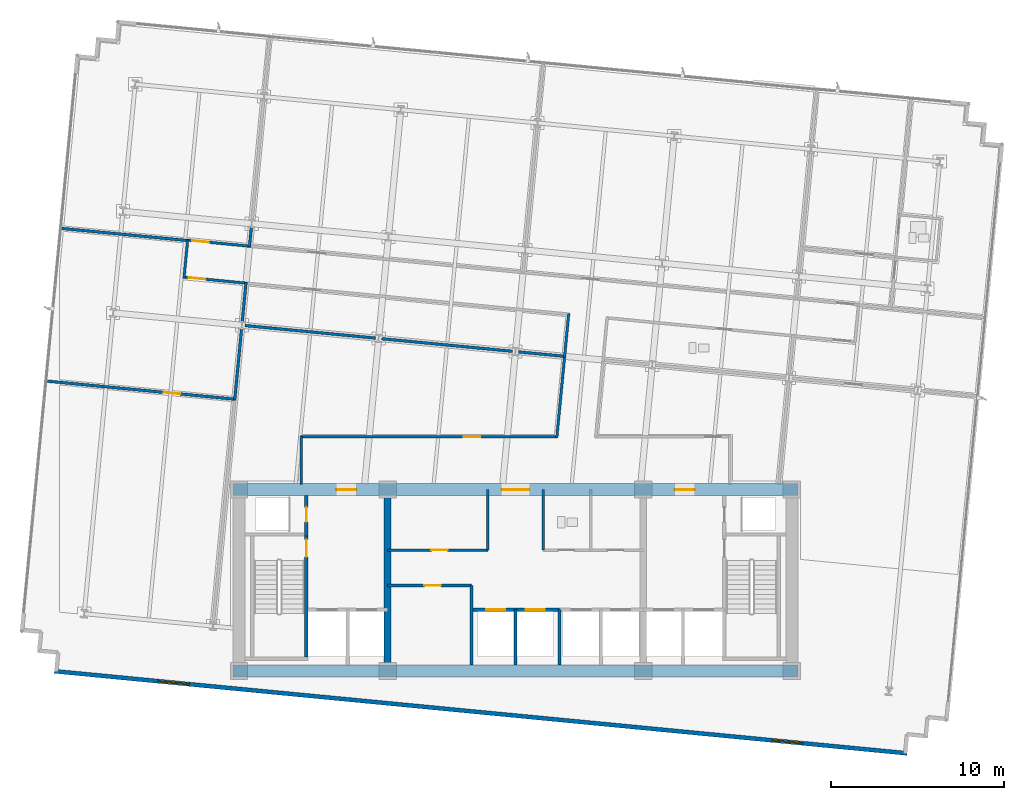
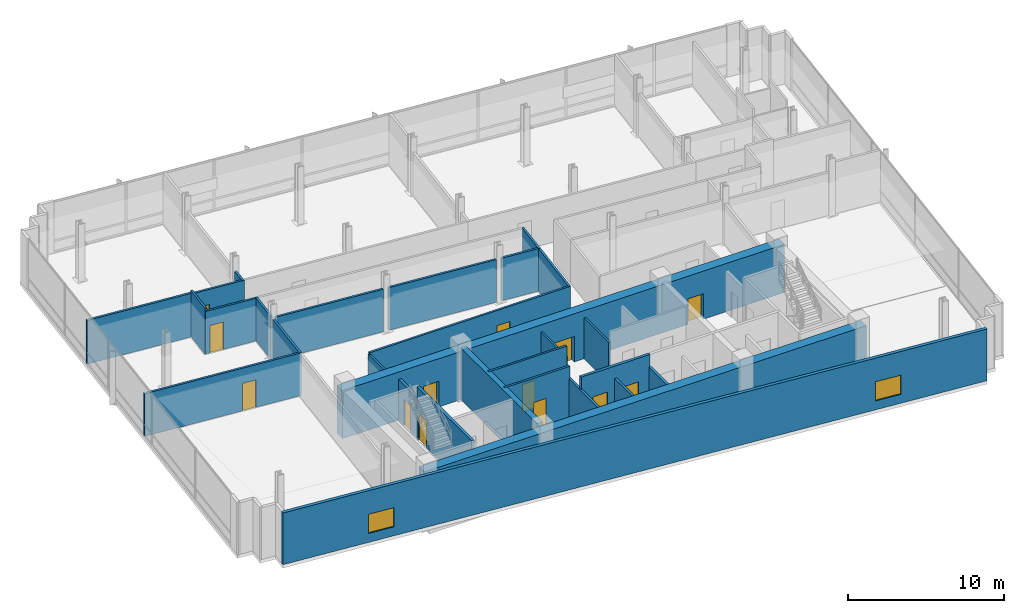
# One storey, part 11 of 17: 29 walls, 13 doors, 2 windows, 15 openings.
"""IFC4 building model written with IfcOpenShell, lengths in metres."""

from ifc_helpers import new_model, si_unit, direction, frame, frame_2d, origin, place, context, subcontext, project, spatial, rectangle, extrude, material, layer, layer_set, type_object, element, fill, save


model = new_model("IFC4")

# Units and contexts
model_context = context("Model", 3, precision=1e-05, world=origin(), true_north=direction((0.0, 1.0)))
body_context = subcontext(model_context, "Body", "Model", "MODEL_VIEW")
ifc_project = project(units=[si_unit("LENGTHUNIT", "METRE"), si_unit("AREAUNIT", "SQUARE_METRE"), si_unit("VOLUMEUNIT", "CUBIC_METRE"), si_unit("PLANEANGLEUNIT", "RADIAN"), si_unit("MASSUNIT", "GRAM", prefix="KILO")], contexts=[model_context])

# Site, building, storey
site_placement = place(None, origin())
site = spatial("IfcSite", under=ifc_project, at=site_placement, CompositionType="ELEMENT")
building_placement = place(site_placement, origin())
building = spatial("IfcBuilding", under=site, at=building_placement, Name="Solmavex Isthmus Hotel", CompositionType="ELEMENT")
storey_placement = place(building_placement, frame((0.0, 0.0, 181.800048828125)))
storey = spatial("IfcBuildingStorey", under=building, at=storey_placement, Name="L49", CompositionType="ELEMENT", Elevation=181.800048828125)

# Wall, openings, windows
ifc_material_1 = material(Name="Precast Concrete C40/50", Category="concrete")
ifc_layer_1 = layer(ifc_material_1, 0.25)
ifc_layer_set_1 = layer_set([ifc_layer_1], Name="Precast Concrete C40/50")
wall_type_1 = type_object("IfcWallType", Name="EW-TWR-250", PredefinedType="STANDARD", material=ifc_layer_set_1)
wall_1_placement = place(storey_placement, frame((-26.6953125, -13.01611328125, 0.0), z_axis=(0.0, 0.0, 1.0), x_axis=(0.995396268366, -0.095845025554, 0.0)))
wall_1 = element("IfcWall", 1, at=wall_1_placement, inside=storey, type_object=wall_type_1, Name="Tower Rear South Facade Wall L49", PredefinedType="STANDARD", context=body_context, shape_type="SweptSolid", body=[
    extrude(rectangle(XDim=49.599853515625, YDim=0.239990234375, at=frame_2d((24.7998046875, 0.0))), origin(), (0.0, 0.0, 1.0), 4.050048828125),
])
opening_1_placement = place(wall_1_placement, frame((6.0439453125, 0.0, 0.699951171875)))
opening_1 = element("IfcOpeningElement", 2, at=opening_1_placement, cuts=wall_1, Name="Opening WN-02", PredefinedType="OPENING", context=body_context, shape_type="SweptSolid", body=[
    extrude(rectangle(XDim=1.800048828125, YDim=1.5, at=frame_2d((0.89990234375, 0.75))), frame((0.0, 0.1298828125, 0.0), z_axis=(0.0, -1.0, 0.0), x_axis=(1.0, 0.0, 0.0)), (0.0, 0.0, 1.0), 0.260009765625),
])
opening_2_placement = place(wall_1_placement, frame((41.756103515625, 0.0, 0.699951171875)))
opening_2 = element("IfcOpeningElement", 3, at=opening_2_placement, cuts=wall_1, Name="Opening WN-02", PredefinedType="OPENING", context=body_context, shape_type="SweptSolid", body=[
    extrude(rectangle(XDim=1.800048828125, YDim=1.5, at=frame_2d((0.89990234375, 0.75))), frame((0.0, 0.1298828125, 0.0), z_axis=(0.0, -1.0, 0.0), x_axis=(1.0, 0.0, 0.0)), (0.0, 0.0, 1.0), 0.260009765625),
])
ifc_material_2 = material(Name="Clear low-E laminated glass", Category="glass")
window_type = type_object("IfcWindowType", Name="WIN-TWR-1800", PartitioningType="SINGLE_PANEL", PredefinedType="WINDOW", material=ifc_material_2)
window_1_placement = place(opening_1_placement, origin())
window_1 = element("IfcWindow", 4, at=window_1_placement, inside=storey, type_object=window_type, Name="South Facade Vision Window L49-S1", OverallHeight=1.5, OverallWidth=1.800048828125, PartitioningType="SINGLE_PANEL", PredefinedType="WINDOW", context=body_context, shape_type="SweptSolid", body=[
    extrude(rectangle(XDim=1.800048828125, YDim=1.5, at=frame_2d((0.89990234375, 0.75))), frame((0.0, 0.030029296875, 0.0), z_axis=(0.0, -1.0, 0.0), x_axis=(1.0, 0.0, 0.0)), (0.0, 0.0, 1.0), 0.06005859375),
])
fill(opening_1, window_1)
window_2_placement = place(opening_2_placement, origin())
window_2 = element("IfcWindow", 5, at=window_2_placement, inside=storey, type_object=window_type, Name="South Facade Vision Window L49-S2", OverallHeight=1.5, OverallWidth=1.800048828125, PartitioningType="SINGLE_PANEL", PredefinedType="WINDOW", context=body_context, shape_type="SweptSolid", body=[
    extrude(rectangle(XDim=1.800048828125, YDim=1.5, at=frame_2d((0.89990234375, 0.75))), frame((0.0, 0.030029296875, 0.0), z_axis=(0.0, -1.0, 0.0), x_axis=(1.0, 0.0, 0.0)), (0.0, 0.0, 1.0), 0.06005859375),
])
fill(opening_2, window_2)

# Wall, opening, door
ifc_material_3 = material(Name="Gypsum plasterboard lining", Category="gypsum")
ifc_layer_2 = layer(ifc_material_3, 0.159912109375)
ifc_layer_set_2 = layer_set([ifc_layer_2], Name="Gypsum plasterboard lining")
wall_type_2 = type_object("IfcWallType", Name="IW-COMP-160", PredefinedType="PARTITIONING", material=ifc_layer_set_2)
wall_2_placement = place(storey_placement, frame((-7.39990234375, -8.050048828125, 0.0), z_axis=(0.0, 0.0, 1.0), x_axis=(1.0, 0.0, 0.0)))
wall_2 = element("IfcWall", 6, at=wall_2_placement, inside=storey, type_object=wall_type_2, Name="Interior Partition Wall W-L49-REC-PLL-N", PredefinedType="PARTITIONING", context=body_context, shape_type="SweptSolid", body=[
    extrude(rectangle(XDim=4.849853515625, YDim=0.159912109375, at=frame_2d((2.4248046875, 0.0))), origin(), (0.0, 0.0, 1.0), 4.050048828125),
])
opening_3_placement = place(wall_2_placement, frame((2.125, 0.0, 0.0)))
opening_3 = element("IfcOpeningElement", 7, at=opening_3_placement, cuts=wall_2, Name="Opening ID-C095", PredefinedType="OPENING", context=body_context, shape_type="SweptSolid", body=[
    extrude(rectangle(XDim=0.949951171875, YDim=2.14990234375, at=frame_2d((0.47509765625, 1.074951171875))), frame((0.0, 0.08984375, 0.0), z_axis=(0.0, -1.0, 0.0), x_axis=(1.0, 0.0, 0.0)), (0.0, 0.0, 1.0), 0.179931640625),
])
ifc_material_4 = material(Name="Hardwood timber", Category="wood")
door_type_1 = type_object("IfcDoorType", Name="IDR-FD60-0950", OperationType="NOTDEFINED", PredefinedType="DOOR", material=ifc_material_4)
door_1_placement = place(opening_3_placement, origin())
door_1 = element("IfcDoor", 8, at=door_1_placement, inside=storey, type_object=door_type_1, Name="Linen Reserve Door L49", OperationType="SINGLE_SWING_LEFT", OverallHeight=2.14990234375, OverallWidth=0.949951171875, PredefinedType="DOOR", context=body_context, shape_type="SweptSolid", body=[
    extrude(rectangle(XDim=0.949951171875, YDim=2.14990234375, at=frame_2d((0.47509765625, 1.074951171875))), frame((0.0, 0.02490234375, 0.0), z_axis=(0.0, -1.0, 0.0), x_axis=(1.0, 0.0, 0.0)), (0.0, 0.0, 1.0), 0.050048828125),
])
fill(opening_3, door_1)

# Walls
wall_3_placement = place(storey_placement, frame((-2.550048828125, -12.64990234375, 0.0), z_axis=(0.0, 0.0, 1.0), x_axis=(0.0, 1.0, 0.0)))
element("IfcWall", 9, at=wall_3_placement, inside=storey, type_object=wall_type_2, Name="Interior Partition Wall W-L49-REC-PLL-E", PredefinedType="PARTITIONING", context=body_context, shape_type="SweptSolid", body=[
    extrude(rectangle(XDim=4.599853515625, YDim=0.159912109375, at=frame_2d((2.2998046875, 0.0))), origin(), (0.0, 0.0, 1.0), 3.0849609375),
])
wall_4_placement = place(storey_placement, frame((-15.2880859375, 12.720947265625, 0.0), z_axis=(0.0, 0.0, 1.0), x_axis=(-0.095831494917, -0.995397571115, 0.0)))
element("IfcWall", 10, at=wall_4_placement, inside=storey, type_object=wall_type_2, Name="Interior Partition Wall W-L49-P019", PredefinedType="PARTITIONING", context=body_context, shape_type="SweptSolid", body=[
    extrude(rectangle(XDim=1.171875, YDim=0.159912109375, at=frame_2d((0.5859375, 0.0))), origin(), (0.0, 0.0, 1.0), 3.33935546875),
])
wall_5_placement = place(storey_placement, frame((-18.942138671875, 11.91552734375, 0.0), z_axis=(0.0, 0.0, 1.0), x_axis=(-0.995395927026, 0.095848570461, 0.0)))
element("IfcWall", 11, at=wall_5_placement, inside=storey, type_object=wall_type_2, Name="Interior Partition Wall W-L49-P022", PredefinedType="PARTITIONING", context=body_context, shape_type="SweptSolid", body=[
    extrude(rectangle(XDim=7.44775390625, YDim=0.159912109375, at=frame_2d((3.723876953125, 0.0))), origin(), (0.0, 0.0, 1.0), 3.41748046875),
])
wall_6_placement = place(storey_placement, frame((-15.820556640625, 7.190673828125, 0.0), z_axis=(0.0, 0.0, 1.0), x_axis=(0.09580488871, 0.995400132258, 0.0)))
element("IfcWall", 12, at=wall_6_placement, inside=storey, type_object=wall_type_2, Name="Interior Partition Wall W-L49-P044", PredefinedType="PARTITIONING", context=body_context, shape_type="SweptSolid", body=[
    extrude(rectangle(XDim=2.31396484375, YDim=0.159912109375, at=frame_2d((1.156982421875, 0.0))), origin(), (0.0, 0.0, 1.0), 3.33935546875),
])
for number, where, z_axis, x_axis, name in (
    (13, (-8.09326171875, 6.269775390625, 0.0), (0.0, 0.0, 1.0), (-0.995396962155, 0.095837819954, 0.0), "Interior Partition Wall W-L49-P045"),
    (14, (-0.173828125, 5.507080078125, 0.0), (0.0, 0.0, 1.0), (-0.995393898805, 0.095869631385, 0.0), "Interior Partition Wall W-L49-P046"),
):
    element("IfcWall", number, at=place(storey_placement, frame(where, z_axis=z_axis, x_axis=x_axis)), inside=storey, type_object=wall_type_2, Name=name, PredefinedType="PARTITIONING", context=body_context, shape_type="SweptSolid", body=[
        extrude(rectangle(XDim=7.60400390625, YDim=0.159912109375, at=frame_2d((3.802001953125, 0.0))), origin(), (0.0, 0.0, 1.0), 3.33935546875),
    ])
wall_7_placement = place(storey_placement, frame((2.885986328125, 5.212646484375, 0.0), z_axis=(0.0, 0.0, 1.0), x_axis=(-0.995401466761, 0.095791022391, 0.0)))
element("IfcWall", 15, at=wall_7_placement, inside=storey, type_object=wall_type_2, Name="Interior Partition Wall W-L49-P047", PredefinedType="PARTITIONING", context=body_context, shape_type="SweptSolid", body=[
    extrude(rectangle(XDim=2.721923828125, YDim=0.159912109375, at=frame_2d((1.36083984375, 0.0))), origin(), (0.0, 0.0, 1.0), 3.33935546875),
])
wall_8_placement = place(storey_placement, frame((-15.854248046875, 6.84033203125, 0.0), z_axis=(0.0, 0.0, 1.0), x_axis=(-0.095857634212, -0.995395054219, 0.0)))
element("IfcWall", 16, at=wall_8_placement, inside=storey, type_object=wall_type_2, Name="Interior Partition Wall W-L49-P049", PredefinedType="PARTITIONING", context=body_context, shape_type="SweptSolid", body=[
    extrude(rectangle(XDim=4.164306640625, YDim=0.159912109375, at=frame_2d((2.08203125, 0.0))), origin(), (0.0, 0.0, 1.0), 3.33935546875),
])

# Wall, opening, door
wall_9_placement = place(storey_placement, frame((-16.209716796875, 2.7314453125, 0.0), z_axis=(0.0, 0.0, 1.0), x_axis=(-0.99539691551, 0.095838304419, 0.0)))
wall_9 = element("IfcWall", 17, at=wall_9_placement, inside=storey, type_object=wall_type_2, Name="Interior Partition Wall W-L49-P050", PredefinedType="PARTITIONING", context=body_context, shape_type="SweptSolid", body=[
    extrude(rectangle(XDim=11.048095703125, YDim=0.159912109375, at=frame_2d((5.52392578125, 0.0))), origin(), (0.0, 0.0, 1.0), 3.33935546875),
])
opening_4_placement = place(wall_9_placement, frame((3.206298828125, 0.0, 0.0)))
opening_4 = element("IfcOpeningElement", 18, at=opening_4_placement, cuts=wall_9, Name="Opening ID-C095", PredefinedType="OPENING", context=body_context, shape_type="SweptSolid", body=[
    extrude(rectangle(XDim=0.949951171875, YDim=2.14990234375, at=frame_2d((0.47509765625, 1.074951171875))), frame((0.0, 0.08984375, 0.0), z_axis=(0.0, -1.0, 0.0), x_axis=(1.0, 0.0, 0.0)), (0.0, 0.0, 1.0), 0.179931640625),
])
door_2_placement = place(opening_4_placement, origin())
door_2 = element("IfcDoor", 19, at=door_2_placement, inside=storey, type_object=door_type_1, Name="Corporate Briefing Office Door L49-15", OperationType="SINGLE_SWING_LEFT", OverallHeight=2.14990234375, OverallWidth=0.949951171875, PredefinedType="DOOR", context=body_context, shape_type="SweptSolid", body=[
    extrude(rectangle(XDim=0.949951171875, YDim=2.14990234375, at=frame_2d((0.47509765625, 1.074951171875))), frame((0.0, 0.02490234375, 0.0), z_axis=(0.0, -1.0, 0.0), x_axis=(1.0, 0.0, 0.0)), (0.0, 0.0, 1.0), 0.050048828125),
])
fill(opening_4, door_2)

ifc_layer_3 = layer(ifc_material_3, 0.14990234375)
ifc_layer_set_3 = layer_set([ifc_layer_3], Name="Gypsum plasterboard lining")
wall_type_3 = type_object("IfcWallType", Name="IW-CORR-150", PredefinedType="PARTITIONING", material=ifc_layer_set_3)
wall_10_placement = place(storey_placement, frame((-7.39990234375, -6.0, 0.0), z_axis=(0.0, 0.0, 1.0), x_axis=(1.0, 0.0, 0.0)))
wall_10 = element("IfcWall", 20, at=wall_10_placement, inside=storey, type_object=wall_type_3, Name="Interior Partition Wall W-L49-BOH-WS", PredefinedType="PARTITIONING", context=body_context, shape_type="SweptSolid", body=[
    extrude(rectangle(XDim=5.7998046875, YDim=0.14990234375, at=frame_2d((2.89990234375, 0.0))), origin(), (0.0, 0.0, 1.0), 4.050048828125),
])
opening_5_placement = place(wall_10_placement, frame((2.52490234375, 0.0, 0.0)))
opening_5 = element("IfcOpeningElement", 21, at=opening_5_placement, cuts=wall_10, Name="Opening ID-C095", PredefinedType="OPENING", context=body_context, shape_type="SweptSolid", body=[
    extrude(rectangle(XDim=0.949951171875, YDim=2.14990234375, at=frame_2d((0.47509765625, 1.074951171875))), frame((0.0, 0.0849609375, 0.0), z_axis=(0.0, -1.0, 0.0), x_axis=(1.0, 0.0, 0.0)), (0.0, 0.0, 1.0), 0.169921875),
])
door_3_placement = place(opening_5_placement, frame((0.949951171875, 0.0, 0.0), z_axis=(0.0, 0.0, 1.0), x_axis=(-1.0, 0.0, 0.0)))
door_3 = element("IfcDoor", 22, at=door_3_placement, inside=storey, type_object=door_type_1, Name="Housekeeping Room Door L49", OperationType="SINGLE_SWING_LEFT", OverallHeight=2.14990234375, OverallWidth=0.949951171875, PredefinedType="DOOR", context=body_context, shape_type="SweptSolid", body=[
    extrude(rectangle(XDim=0.949951171875, YDim=2.14990234375, at=frame_2d((0.47509765625, 1.074951171875))), frame((0.0, 0.02490234375, 0.0), z_axis=(0.0, -1.0, 0.0), x_axis=(1.0, 0.0, 0.0)), (0.0, 0.0, 1.0), 0.050048828125),
])
fill(opening_5, door_3)

# Walls
for number, where, z_axis, x_axis, name in (
    (23, (-1.60009765625, -6.0, 0.0), (0.0, 0.0, 1.0), (0.0, 1.0, 0.0), "Interior Partition Wall W-L49-BOH-WE"),
    (24, (1.60009765625, -6.0, 0.0), (0.0, 0.0, 1.0), (0.0, 1.0, 0.0), "Interior Partition Wall W-L49-BOH-EW"),
):
    element("IfcWall", number, at=place(storey_placement, frame(where, z_axis=z_axis, x_axis=x_axis)), inside=storey, type_object=wall_type_3, Name=name, PredefinedType="PARTITIONING", context=body_context, shape_type="SweptSolid", body=[
        extrude(rectangle(XDim=3.5, YDim=0.14990234375, at=frame_2d((1.75, 0.0))), origin(), (0.0, 0.0, 1.0), 3.195068359375),
    ])

# Wall, opening, door
wall_11_placement = place(storey_placement, frame((-19.019775390625, 11.943115234375, 0.0), z_axis=(0.0, 0.0, 1.0), x_axis=(0.995397364202, -0.095833644092, 0.0)))
wall_11 = element("IfcWall", 25, at=wall_11_placement, inside=storey, type_object=wall_type_3, Name="Interior Partition Wall W-L49-P001", PredefinedType="PARTITIONING", context=body_context, shape_type="SweptSolid", body=[
    extrude(rectangle(XDim=3.721923828125, YDim=0.14990234375, at=frame_2d((1.86083984375, 0.0))), origin(), (0.0, 0.0, 1.0), 3.33935546875),
])
opening_6_placement = place(wall_11_placement, frame((0.315185546875, 0.0, 0.0)))
opening_6 = element("IfcOpeningElement", 26, at=opening_6_placement, cuts=wall_11, Name="Opening ID-C095", PredefinedType="OPENING", context=body_context, shape_type="SweptSolid", body=[
    extrude(rectangle(XDim=0.949951171875, YDim=2.14990234375, at=frame_2d((0.47509765625, 1.074951171875))), frame((0.0, 0.0849609375, 0.0), z_axis=(0.0, -1.0, 0.0), x_axis=(1.0, 0.0, 0.0)), (0.0, 0.0, 1.0), 0.169921875),
])
door_4_placement = place(opening_6_placement, frame((0.949951171875, 0.0, 0.0), z_axis=(0.0, 0.0, 1.0), x_axis=(-1.0, 0.0, 0.0)))
door_4 = element("IfcDoor", 27, at=door_4_placement, inside=storey, type_object=door_type_1, Name="Vitality Fitness Studio Door L49-01", OperationType="SINGLE_SWING_LEFT", OverallHeight=2.14990234375, OverallWidth=0.949951171875, PredefinedType="DOOR", context=body_context, shape_type="SweptSolid", body=[
    extrude(rectangle(XDim=0.949951171875, YDim=2.14990234375, at=frame_2d((0.47509765625, 1.074951171875))), frame((0.0, 0.02490234375, 0.0), z_axis=(0.0, -1.0, 0.0), x_axis=(1.0, 0.0, 0.0)), (0.0, 0.0, 1.0), 0.050048828125),
])
fill(opening_6, door_4)

# Wall
wall_12_placement = place(storey_placement, frame((2.83837890625, 5.134765625, 0.0), z_axis=(0.0, 0.0, 1.0), x_axis=(0.095772090971, 0.995403288417, 0.0)))
element("IfcWall", 28, at=wall_12_placement, inside=storey, type_object=wall_type_3, Name="Interior Partition Wall W-L49-P009", PredefinedType="PARTITIONING", context=body_context, shape_type="SweptSolid", body=[
    extrude(rectangle(XDim=2.572021484375, YDim=0.14990234375, at=frame_2d((1.2861328125, 0.0))), origin(), (0.0, 0.0, 1.0), 3.33935546875),
])

# Wall, opening, door
wall_13_placement = place(storey_placement, frame((-15.52099609375, 9.4462890625, 0.0), z_axis=(0.0, 0.0, 1.0), x_axis=(-0.995397364202, 0.095833644092, 0.0)))
wall_13 = element("IfcWall", 29, at=wall_13_placement, inside=storey, type_object=wall_type_3, Name="Interior Partition Wall W-L49-P014", PredefinedType="PARTITIONING", context=body_context, shape_type="SweptSolid", body=[
    extrude(rectangle(XDim=3.721923828125, YDim=0.14990234375, at=frame_2d((1.86083984375, 0.0))), origin(), (0.0, 0.0, 1.0), 3.33935546875),
])
opening_7_placement = place(wall_13_placement, frame((2.456787109375, 0.0, 0.0)))
opening_7 = element("IfcOpeningElement", 30, at=opening_7_placement, cuts=wall_13, Name="Opening ID-C095", PredefinedType="OPENING", context=body_context, shape_type="SweptSolid", body=[
    extrude(rectangle(XDim=0.949951171875, YDim=2.14990234375, at=frame_2d((0.47509765625, 1.074951171875))), frame((0.0, 0.0849609375, 0.0), z_axis=(0.0, -1.0, 0.0), x_axis=(1.0, 0.0, 0.0)), (0.0, 0.0, 1.0), 0.169921875),
])
door_5_placement = place(opening_7_placement, frame((0.949951171875, 0.0, 0.0), z_axis=(0.0, 0.0, 1.0), x_axis=(-1.0, 0.0, 0.0)))
door_5 = element("IfcDoor", 31, at=door_5_placement, inside=storey, type_object=door_type_1, Name="Executive Hospitality Lounge Door L49-12", OperationType="SINGLE_SWING_RIGHT", OverallHeight=2.14990234375, OverallWidth=0.949951171875, PredefinedType="DOOR", context=body_context, shape_type="SweptSolid", body=[
    extrude(rectangle(XDim=0.949951171875, YDim=2.14990234375, at=frame_2d((0.47509765625, 1.074951171875))), frame((0.0, 0.02490234375, 0.0), z_axis=(0.0, -1.0, 0.0), x_axis=(1.0, 0.0, 0.0)), (0.0, 0.0, 1.0), 0.050048828125),
])
fill(opening_7, door_5)

# Walls
wall_14_placement = place(storey_placement, frame((-19.18994140625, 9.75927734375, 0.0), z_axis=(0.0, 0.0, 1.0), x_axis=(0.095882898123, 0.995392620953, 0.0)))
element("IfcWall", 32, at=wall_14_placement, inside=storey, type_object=wall_type_3, Name="Interior Partition Wall W-L49-P015", PredefinedType="PARTITIONING", context=body_context, shape_type="SweptSolid", body=[
    extrude(rectangle(XDim=2.210205078125, YDim=0.14990234375, at=frame_2d((1.10498046875, 0.0))), origin(), (0.0, 0.0, 1.0), 3.578125),
])
wall_15_placement = place(storey_placement, frame((-12.39990234375, -2.18994140625, 0.0), z_axis=(0.0, 0.0, 1.0), x_axis=(0.0, 1.0, 0.0)))
element("IfcWall", 33, at=wall_15_placement, inside=storey, type_object=wall_type_3, Name="Interior Partition Wall W-L49-P016", PredefinedType="PARTITIONING", context=body_context, shape_type="SweptSolid", body=[
    extrude(rectangle(XDim=2.780029296875, YDim=0.14990234375, at=frame_2d((1.39013671875, 0.0))), origin(), (0.0, 0.0, 1.0), 3.195068359375),
])

# Wall, opening, door
wall_16_placement = place(storey_placement, frame((-12.43994140625, 0.550048828125, 0.0), z_axis=(0.0, 0.0, 1.0), x_axis=(1.0, 0.0, 0.0)))
wall_16 = element("IfcWall", 34, at=wall_16_placement, inside=storey, type_object=wall_type_3, Name="Interior Partition Wall W-L49-P017", PredefinedType="PARTITIONING", context=body_context, shape_type="SweptSolid", body=[
    extrude(rectangle(XDim=14.876708984375, YDim=0.14990234375, at=frame_2d((7.4384765625, 0.0))), origin(), (0.0, 0.0, 1.0), 3.33935546875),
])
opening_8_placement = place(wall_16_placement, frame((9.44921875, 0.0, 0.0)))
opening_8 = element("IfcOpeningElement", 35, at=opening_8_placement, cuts=wall_16, Name="Opening ID-C095", PredefinedType="OPENING", context=body_context, shape_type="SweptSolid", body=[
    extrude(rectangle(XDim=0.949951171875, YDim=2.14990234375, at=frame_2d((0.47509765625, 1.074951171875))), frame((0.0, 0.0849609375, 0.0), z_axis=(0.0, -1.0, 0.0), x_axis=(1.0, 0.0, 0.0)), (0.0, 0.0, 1.0), 0.169921875),
])
door_6_placement = place(opening_8_placement, frame((0.949951171875, 0.0, 0.0), z_axis=(0.0, 0.0, 1.0), x_axis=(-1.0, 0.0, 0.0)))
door_6 = element("IfcDoor", 36, at=door_6_placement, inside=storey, type_object=door_type_1, Name="Catering Servery Kitchen Door L49-14", OperationType="SINGLE_SWING_RIGHT", OverallHeight=2.14990234375, OverallWidth=0.949951171875, PredefinedType="DOOR", context=body_context, shape_type="SweptSolid", body=[
    extrude(rectangle(XDim=0.949951171875, YDim=2.14990234375, at=frame_2d((0.47509765625, 1.074951171875))), frame((0.0, 0.02490234375, 0.0), z_axis=(0.0, -1.0, 0.0), x_axis=(1.0, 0.0, 0.0)), (0.0, 0.0, 1.0), 0.050048828125),
])
fill(opening_8, door_6)

# Walls
wall_17_placement = place(storey_placement, frame((2.39306640625, 0.51025390625, 0.0), z_axis=(0.0, 0.0, 1.0), x_axis=(0.095829431913, 0.995397769728, 0.0)))
element("IfcWall", 37, at=wall_17_placement, inside=storey, type_object=wall_type_3, Name="Interior Partition Wall W-L49-P018", PredefinedType="PARTITIONING", context=body_context, shape_type="SweptSolid", body=[
    extrude(rectangle(XDim=4.81005859375, YDim=0.14990234375, at=frame_2d((2.405029296875, 0.0))), origin(), (0.0, 0.0, 1.0), 3.33935546875),
])
ifc_material_5 = material(Name="Concrete C40/50", Category="concrete")
ifc_layer_4 = layer(ifc_material_5, 0.179931640625)
ifc_layer_set_4 = layer_set([ifc_layer_4], Name="Concrete C40/50")
wall_type_4 = type_object("IfcWallType", Name="IW-SHAFT-180", PredefinedType="PARTITIONING", material=ifc_layer_set_4)
wall_18_placement = place(storey_placement, frame((0.0, -12.64990234375, 0.0), z_axis=(0.0, 0.0, 1.0), x_axis=(0.0, 1.0, 0.0)))
element("IfcWall", 38, at=wall_18_placement, inside=storey, type_object=wall_type_4, Name="Interior Partition Wall W-L49-SH-PLM-M", PredefinedType="PARTITIONING", context=body_context, shape_type="SweptSolid", body=[
    extrude(rectangle(XDim=3.199951171875, YDim=0.179931640625, at=frame_2d((1.60009765625, 0.0))), origin(), (0.0, 0.0, 1.0), 3.0849609375),
])

# Wall, opening, door
ifc_layer_5 = layer(ifc_material_5, 0.199951171875)
ifc_layer_set_5 = layer_set([ifc_layer_5], Name="Concrete C40/50")
wall_type_5 = type_object("IfcWallType", Name="IW-SHAFT-200", PredefinedType="PARTITIONING", material=ifc_layer_set_5)
wall_19_placement = place(storey_placement, frame((-12.10009765625, -5.199951171875, 0.0), z_axis=(0.0, 0.0, 1.0), x_axis=(0.0, 1.0, 0.0)))
wall_19 = element("IfcWall", 39, at=wall_19_placement, inside=storey, type_object=wall_type_5, Name="Interior Partition Wall W-L49-RSW-E", PredefinedType="PARTITIONING", context=body_context, shape_type="SweptSolid", body=[
    extrude(rectangle(XDim=2.349853515625, YDim=0.199951171875, at=frame_2d((1.1748046875, 0.0))), origin(), (0.0, 0.0, 1.0), 3.195068359375),
])
opening_9_placement = place(wall_19_placement, frame((0.824951171875, 0.0, 0.0)))
opening_9 = element("IfcOpeningElement", 40, at=opening_9_placement, cuts=wall_19, Name="Opening ID-R085", PredefinedType="OPENING", context=body_context, shape_type="SweptSolid", body=[
    extrude(rectangle(XDim=0.85009765625, YDim=2.050048828125, at=frame_2d((0.425048828125, 1.02490234375))), frame((0.0, 0.10986328125, 0.0), z_axis=(0.0, -1.0, 0.0), x_axis=(1.0, 0.0, 0.0)), (0.0, 0.0, 1.0), 0.219970703125),
])
ifc_material_6 = material(Name="Steel ASTM A500 Grade C", Category="steel")
door_type_2 = type_object("IfcDoorType", Name="IDR-FD60-0850", OperationType="NOTDEFINED", PredefinedType="DOOR", material=ifc_material_6)
door_7_placement = place(opening_9_placement, origin())
door_7 = element("IfcDoor", 41, at=door_7_placement, inside=storey, type_object=door_type_2, Name="Electrical Riser Door L49", OperationType="SINGLE_SWING_RIGHT", OverallHeight=2.050048828125, OverallWidth=0.85009765625, PredefinedType="DOOR", context=body_context, shape_type="SweptSolid", body=[
    extrude(rectangle(XDim=0.85009765625, YDim=2.050048828125, at=frame_2d((0.425048828125, 1.02490234375))), frame((0.0, 0.02490234375, 0.0), z_axis=(0.0, -1.0, 0.0), x_axis=(1.0, 0.0, 0.0)), (0.0, 0.0, 1.0), 0.050048828125),
])
fill(opening_9, door_7)

# Wall, openings, doors
wall_20_placement = place(storey_placement, frame((-2.550048828125, -9.449951171875, 0.0), z_axis=(0.0, 0.0, 1.0), x_axis=(1.0, 0.0, 0.0)))
wall_20 = element("IfcWall", 42, at=wall_20_placement, inside=storey, type_object=wall_type_5, Name="Interior Partition Wall W-L49-SH-PLM", PredefinedType="PARTITIONING", context=body_context, shape_type="SweptSolid", body=[
    extrude(rectangle(XDim=5.10009765625, YDim=0.199951171875, at=frame_2d((2.550048828125, 0.0))), origin(), (0.0, 0.0, 1.0), 4.050048828125),
])
opening_10_placement = place(wall_20_placement, frame((0.85009765625, 0.0, 0.0)))
opening_10 = element("IfcOpeningElement", 43, at=opening_10_placement, cuts=wall_20, Name="Opening LD-PL", PredefinedType="OPENING", context=body_context, shape_type="SweptSolid", body=[
    extrude(rectangle(XDim=1.10009765625, YDim=2.199951171875, at=frame_2d((0.550048828125, 1.10009765625))), frame((0.0, 0.10986328125, 0.0), z_axis=(0.0, -1.0, 0.0), x_axis=(1.0, 0.0, 0.0)), (0.0, 0.0, 1.0), 0.219970703125),
])
opening_11_placement = place(wall_20_placement, frame((3.14990234375, 0.0, 0.0)))
opening_11 = element("IfcOpeningElement", 44, at=opening_11_placement, cuts=wall_20, Name="Opening LD-PL", PredefinedType="OPENING", context=body_context, shape_type="SweptSolid", body=[
    extrude(rectangle(XDim=1.10009765625, YDim=2.199951171875, at=frame_2d((0.550048828125, 1.10009765625))), frame((0.0, 0.10986328125, 0.0), z_axis=(0.0, -1.0, 0.0), x_axis=(1.0, 0.0, 0.0)), (0.0, 0.0, 1.0), 0.219970703125),
])
ifc_material_7 = material(Name="Stainless steel 316", Category="steel")
door_type_3 = type_object("IfcDoorType", Name="LDR-PL-1100", OperationType="NOTDEFINED", PredefinedType="DOOR", material=ifc_material_7)
door_8_placement = place(opening_10_placement, origin())
door_8 = element("IfcDoor", 45, at=door_8_placement, inside=storey, type_object=door_type_3, Name="Lift Landing Door PLM1 L49", OperationType="SLIDING_TO_RIGHT", OverallHeight=2.199951171875, OverallWidth=1.10009765625, PredefinedType="DOOR", context=body_context, shape_type="SweptSolid", body=[
    extrude(rectangle(XDim=1.10009765625, YDim=2.199951171875, at=frame_2d((0.550048828125, 1.10009765625))), frame((0.0, 0.02490234375, 0.0), z_axis=(0.0, -1.0, 0.0), x_axis=(1.0, 0.0, 0.0)), (0.0, 0.0, 1.0), 0.050048828125),
])
fill(opening_10, door_8)
door_9_placement = place(opening_11_placement, origin())
door_9 = element("IfcDoor", 46, at=door_9_placement, inside=storey, type_object=door_type_3, Name="Lift Landing Door PLM2 L49", OperationType="SLIDING_TO_RIGHT", OverallHeight=2.199951171875, OverallWidth=1.10009765625, PredefinedType="DOOR", context=body_context, shape_type="SweptSolid", body=[
    extrude(rectangle(XDim=1.10009765625, YDim=2.199951171875, at=frame_2d((0.550048828125, 1.10009765625))), frame((0.0, 0.02490234375, 0.0), z_axis=(0.0, -1.0, 0.0), x_axis=(1.0, 0.0, 0.0)), (0.0, 0.0, 1.0), 0.050048828125),
])
fill(opening_11, door_9)

# Walls
wall_21_placement = place(storey_placement, frame((2.550048828125, -12.64990234375, 0.0), z_axis=(0.0, 0.0, 1.0), x_axis=(0.0, 1.0, 0.0)))
element("IfcWall", 47, at=wall_21_placement, inside=storey, type_object=wall_type_5, Name="Interior Partition Wall W-L49-SH-PLM-E", PredefinedType="PARTITIONING", context=body_context, shape_type="SweptSolid", body=[
    extrude(rectangle(XDim=3.199951171875, YDim=0.199951171875, at=frame_2d((1.60009765625, 0.0))), origin(), (0.0, 0.0, 1.0), 3.0849609375),
])
ifc_material_8 = material(Name="Concrete C60/75", Category="concrete")
ifc_layer_6 = layer(ifc_material_8, 0.39990234375)
ifc_layer_set_6 = layer_set([ifc_layer_6], Name="Concrete C60/75")
wall_type_6 = type_object("IfcWallType", Name="WALL-CW-400M", PredefinedType="SHEAR", material=ifc_layer_set_6)
wall_22_placement = place(storey_placement, frame((-7.39990234375, -12.64990234375, 0.0), z_axis=(0.0, 0.0, 1.0), x_axis=(0.0, 1.0, 0.0)))
element("IfcWall", 48, at=wall_22_placement, inside=storey, type_object=wall_type_6, Name="Core Cross Shear Wall C1 L49", PredefinedType="SHEAR", context=body_context, shape_type="SweptSolid", body=[
    extrude(rectangle(XDim=9.7998046875, YDim=0.39990234375, at=frame_2d((4.89990234375, 0.0))), origin(), (0.0, 0.0, 1.0), 4.050048828125),
])
ifc_layer_7 = layer(ifc_material_8, 0.699951171875)
ifc_layer_set_7 = layer_set([ifc_layer_7], Name="Concrete C60/75")
wall_type_7 = type_object("IfcWallType", Name="WALL-CW-700", PredefinedType="SHEAR", material=ifc_layer_set_7)
wall_23_placement = place(storey_placement, frame((-16.35009765625, -13.0, 0.0), z_axis=(0.0, 0.0, 1.0), x_axis=(1.0, 0.0, 0.0)))
element("IfcWall", 49, at=wall_23_placement, inside=storey, type_object=wall_type_7, Name="Core Shear Wall South L49", PredefinedType="SHEAR", context=body_context, shape_type="SweptSolid", body=[
    extrude(rectangle(XDim=32.7001953125, YDim=0.699951171875, at=frame_2d((16.35009765625, 0.0))), origin(), (0.0, 0.0, 1.0), 3.77001953125),
])

# Wall, openings, doors
wall_24_placement = place(storey_placement, frame((-16.35009765625, -2.5, 0.0), z_axis=(0.0, 0.0, 1.0), x_axis=(1.0, 0.0, 0.0)))
wall_24 = element("IfcWall", 50, at=wall_24_placement, inside=storey, type_object=wall_type_7, Name="Core Shear Wall North L49", PredefinedType="SHEAR", context=body_context, shape_type="SweptSolid", body=[
    extrude(rectangle(XDim=32.7001953125, YDim=0.699951171875, at=frame_2d((16.35009765625, 0.0))), origin(), (0.0, 0.0, 1.0), 3.77001953125),
])
opening_12_placement = place(wall_24_placement, frame((5.97509765625, 0.0, 0.0)))
opening_12 = element("IfcOpeningElement", 51, at=opening_12_placement, cuts=wall_24, Name="Opening ID-F915", PredefinedType="OPENING", context=body_context, shape_type="SweptSolid", body=[
    extrude(rectangle(XDim=1.14990234375, YDim=2.0, at=frame_2d((0.574951171875, 1.0))), frame((0.0, 0.35986328125, 0.0), z_axis=(0.0, -1.0, 0.0), x_axis=(1.0, 0.0, 0.0)), (0.0, 0.0, 1.0), 0.719970703125),
])
opening_13_placement = place(wall_24_placement, frame((15.550048828125, 0.0, 0.0)))
opening_13 = element("IfcOpeningElement", 52, at=opening_13_placement, cuts=wall_24, Name="Opening ID-F960", PredefinedType="OPENING", context=body_context, shape_type="SweptSolid", body=[
    extrude(rectangle(XDim=1.60009765625, YDim=2.0, at=frame_2d((0.800048828125, 1.0))), frame((0.0, 0.35986328125, 0.0), z_axis=(0.0, -1.0, 0.0), x_axis=(1.0, 0.0, 0.0)), (0.0, 0.0, 1.0), 0.719970703125),
])
opening_14_placement = place(wall_24_placement, frame((25.574951171875, 0.0, 0.0)))
opening_14 = element("IfcOpeningElement", 53, at=opening_14_placement, cuts=wall_24, Name="Opening ID-F915", PredefinedType="OPENING", context=body_context, shape_type="SweptSolid", body=[
    extrude(rectangle(XDim=1.14990234375, YDim=2.0, at=frame_2d((0.574951171875, 1.0))), frame((0.0, 0.35986328125, 0.0), z_axis=(0.0, -1.0, 0.0), x_axis=(1.0, 0.0, 0.0)), (0.0, 0.0, 1.0), 0.719970703125),
])
door_type_4 = type_object("IfcDoorType", Name="IDR-FD90-1150C", OperationType="NOTDEFINED", PredefinedType="DOOR", material=ifc_material_6)
door_10_placement = place(opening_12_placement, origin())
door_10 = element("IfcDoor", 54, at=door_10_placement, inside=storey, type_object=door_type_4, Name="Firefighting Lobby West Exit Door L49", OperationType="SINGLE_SWING_LEFT", OverallHeight=2.0, OverallWidth=1.14990234375, PredefinedType="DOOR", context=body_context, shape_type="SweptSolid", body=[
    extrude(rectangle(XDim=1.14990234375, YDim=2.0, at=frame_2d((0.574951171875, 1.0))), frame((0.0, 0.02490234375, 0.0), z_axis=(0.0, -1.0, 0.0), x_axis=(1.0, 0.0, 0.0)), (0.0, 0.0, 1.0), 0.050048828125),
])
fill(opening_12, door_10)
door_11_placement = place(opening_14_placement, origin())
door_11 = element("IfcDoor", 55, at=door_11_placement, inside=storey, type_object=door_type_4, Name="Firefighting Lobby East Exit Door L49", OperationType="SINGLE_SWING_RIGHT", OverallHeight=2.0, OverallWidth=1.14990234375, PredefinedType="DOOR", context=body_context, shape_type="SweptSolid", body=[
    extrude(rectangle(XDim=1.14990234375, YDim=2.0, at=frame_2d((0.574951171875, 1.0))), frame((0.0, 0.02490234375, 0.0), z_axis=(0.0, -1.0, 0.0), x_axis=(1.0, 0.0, 0.0)), (0.0, 0.0, 1.0), 0.050048828125),
])
fill(opening_14, door_11)
door_type_5 = type_object("IfcDoorType", Name="IDR-FD90-1600C", OperationType="NOTDEFINED", PredefinedType="DOOR", material=ifc_material_6)
door_12_placement = place(opening_13_placement, origin())
door_12 = element("IfcDoor", 56, at=door_12_placement, inside=storey, type_object=door_type_5, Name="Central Lift Lobby Door L49", OperationType="DOUBLE_DOOR_SINGLE_SWING", OverallHeight=2.0, OverallWidth=1.60009765625, PredefinedType="DOOR", context=body_context, shape_type="SweptSolid", body=[
    extrude(rectangle(XDim=1.60009765625, YDim=2.0, at=frame_2d((0.800048828125, 1.0))), frame((0.0, 0.02490234375, 0.0), z_axis=(0.0, -1.0, 0.0), x_axis=(1.0, 0.0, 0.0)), (0.0, 0.0, 1.0), 0.050048828125),
])
fill(opening_13, door_12)

# Wall, opening, door
ifc_layer_8 = layer(ifc_material_5, 0.199951171875)
ifc_layer_set_8 = layer_set([ifc_layer_8], Name="Concrete C40/50")
wall_type_8 = type_object("IfcWallType", Name="WALL-SW-200", PredefinedType="SOLIDWALL", material=ifc_layer_set_8)
wall_25_placement = place(storey_placement, frame((-12.10009765625, -12.199951171875, 0.0), z_axis=(0.0, 0.0, 1.0), x_axis=(0.0, 1.0, 0.0)))
wall_25 = element("IfcWall", 57, at=wall_25_placement, inside=storey, type_object=wall_type_8, Name="Stairwell Structural Wall SW-L49-ST1-E", PredefinedType="SOLIDWALL", context=body_context, shape_type="SweptSolid", body=[
    extrude(rectangle(XDim=7.0, YDim=0.199951171875, at=frame_2d((3.5, 0.0))), origin(), (0.0, 0.0, 1.0), 4.050048828125),
])
opening_15_placement = place(wall_25_placement, frame((5.800048828125, 0.0, 0.0)))
opening_15 = element("IfcOpeningElement", 58, at=opening_15_placement, cuts=wall_25, Name="Opening ID-F100", PredefinedType="OPENING", context=body_context, shape_type="SweptSolid", body=[
    extrude(rectangle(XDim=1.0, YDim=2.10009765625, at=frame_2d((0.5, 1.050048828125))), frame((0.0, 0.10986328125, 0.0), z_axis=(0.0, -1.0, 0.0), x_axis=(1.0, 0.0, 0.0)), (0.0, 0.0, 1.0), 0.219970703125),
])
door_type_6 = type_object("IfcDoorType", Name="IDR-FD90-1000", OperationType="NOTDEFINED", PredefinedType="DOOR", material=ifc_material_6)
door_13_placement = place(opening_15_placement, frame((1.0, 0.0, 0.0), z_axis=(0.0, 0.0, 1.0), x_axis=(-1.0, 0.0, 0.0)))
door_13 = element("IfcDoor", 59, at=door_13_placement, inside=storey, type_object=door_type_6, Name="Stair ST-1 Fire Door L49", OperationType="SINGLE_SWING_LEFT", OverallHeight=2.10009765625, OverallWidth=1.0, PredefinedType="DOOR", context=body_context, shape_type="SweptSolid", body=[
    extrude(rectangle(XDim=1.0, YDim=2.10009765625, at=frame_2d((0.5, 1.050048828125))), frame((0.0, 0.02490234375, 0.0), z_axis=(0.0, -1.0, 0.0), x_axis=(1.0, 0.0, 0.0)), (0.0, 0.0, 1.0), 0.050048828125),
])
fill(opening_15, door_13)

save(model, "model.ifc")
